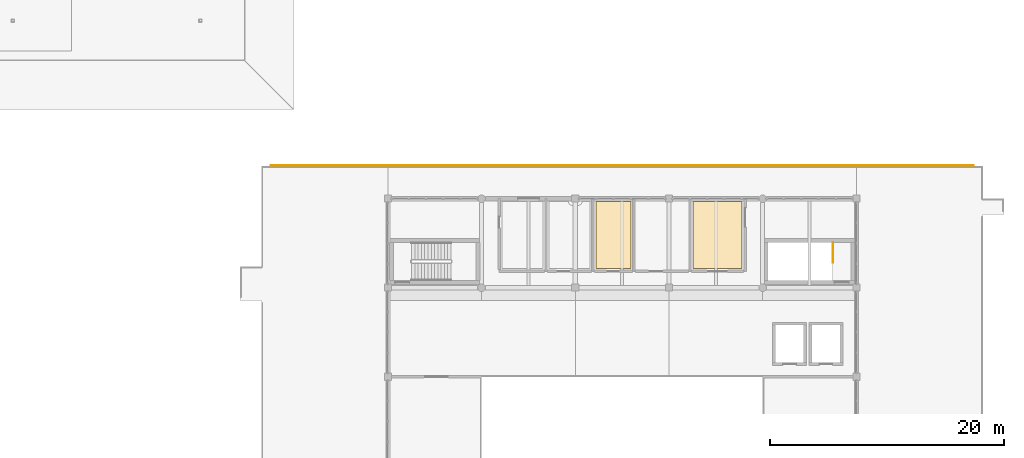
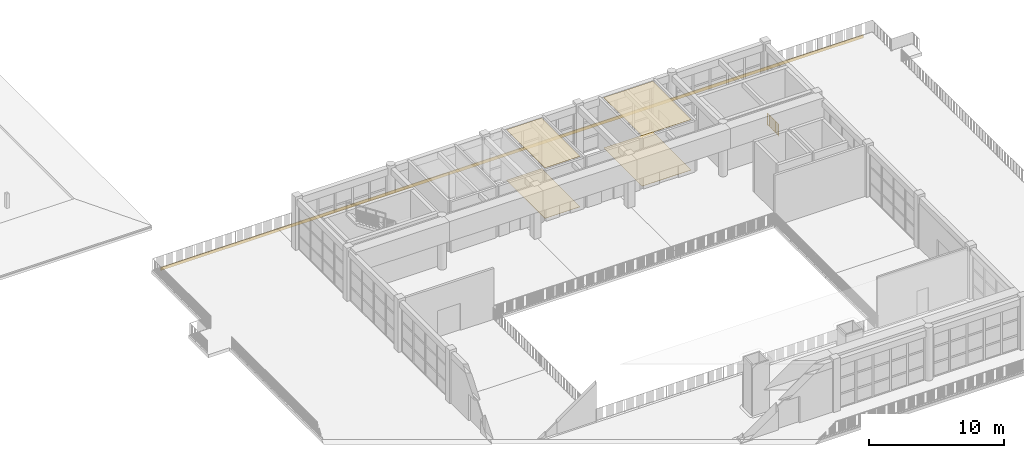
# One storey, part 32 of 32: 5 coverings, 1 railing.
"""IFC4 building model written with IfcOpenShell, lengths in metres."""

from ifc_helpers import new_model, si_unit, direction, frame, origin, origin_2d, place, context, subcontext, project, spatial, polyline, rectangle, circle, outline, extrude, material, layer, layer_set, type_object, element, save


model = new_model("IFC4")

# Units and contexts
model_context = context("Model", 3, precision=1e-05, world=origin(), true_north=direction((0.0, 1.0)))
body_context = subcontext(model_context, "Body", "Model", "MODEL_VIEW")
ifc_project = project(units=[si_unit("LENGTHUNIT", "METRE"), si_unit("AREAUNIT", "SQUARE_METRE"), si_unit("VOLUMEUNIT", "CUBIC_METRE"), si_unit("PLANEANGLEUNIT", "RADIAN"), si_unit("MASSUNIT", "GRAM", prefix="KILO")], contexts=[model_context])

# Site, building, storey
site_placement = place(None, origin())
site = spatial("IfcSite", under=ifc_project, at=site_placement, CompositionType="ELEMENT")
building_placement = place(site_placement, origin())
building = spatial("IfcBuilding", under=site, at=building_placement, Name="Zantavel Square City Hall", CompositionType="ELEMENT")
storey_placement = place(building_placement, frame((0.0, 0.0, 23.699951171875)))
storey = spatial("IfcBuildingStorey", under=building, at=storey_placement, Name="L06", CompositionType="ELEMENT", Elevation=23.699951171875)

# Railing
ifc_material_1 = material(Name="Steel ASTM A500 Grade B", Category="steel")
railing_type = type_object("IfcRailingType", Name="Atrium & Gallery Steel Guard Railing 1100mm", PredefinedType="GUARDRAIL", material=ifc_material_1)
railing_placement = place(storey_placement, frame((102.02001953125, 64.669921875, 0.0)))
element("IfcRailing", 1, at=railing_placement, inside=storey, type_object=railing_type, Name="L06 ST6 top well guard 1", PredefinedType="GUARDRAIL", context=body_context, shape_type="SweptSolid", body=[
    extrude(circle(Radius=0.02392578125, at=origin_2d()), frame((0.0, 0.0, 1.076171875), z_axis=(0.0, -1.0, 0.0), x_axis=(1.0, 0.0, 0.0)), (0.0, 0.0, 1.0), 1.7099609375),
    extrude(rectangle(XDim=0.031982421875, YDim=0.031982421875, at=origin_2d()), frame((0.0, 0.0, 0.080078125), z_axis=(0.0, -1.0, 0.0), x_axis=(1.0, 0.0, 0.0)), (0.0, 0.0, 1.0), 1.7099609375),
    extrude(rectangle(XDim=0.02197265625, YDim=0.02197265625, at=origin_2d()), frame((0.0, -0.090087890625, 0.080078125)), (0.0, 0.0, 1.0), 0.971923828125),
    extrude(rectangle(XDim=0.02197265625, YDim=0.02197265625, at=origin_2d()), frame((0.0, -0.179931640625, 0.080078125)), (0.0, 0.0, 1.0), 0.971923828125),
    extrude(rectangle(XDim=0.02197265625, YDim=0.02197265625, at=origin_2d()), frame((0.0, -0.27001953125, 0.080078125)), (0.0, 0.0, 1.0), 0.971923828125),
    extrude(rectangle(XDim=0.02197265625, YDim=0.02197265625, at=origin_2d()), frame((0.0, -0.360107421875, 0.080078125)), (0.0, 0.0, 1.0), 0.971923828125),
    extrude(rectangle(XDim=0.02197265625, YDim=0.02197265625, at=origin_2d()), frame((0.0, -0.449951171875, 0.080078125)), (0.0, 0.0, 1.0), 0.971923828125),
    extrude(rectangle(XDim=0.02197265625, YDim=0.02197265625, at=origin_2d()), frame((0.0, -0.5400390625, 0.080078125)), (0.0, 0.0, 1.0), 0.971923828125),
    extrude(rectangle(XDim=0.02197265625, YDim=0.02197265625, at=origin_2d()), frame((0.0, -0.6298828125, 0.080078125)), (0.0, 0.0, 1.0), 0.971923828125),
    extrude(rectangle(XDim=0.02197265625, YDim=0.02197265625, at=origin_2d()), frame((0.0, -0.719970703125, 0.080078125)), (0.0, 0.0, 1.0), 0.971923828125),
    extrude(rectangle(XDim=0.02197265625, YDim=0.02197265625, at=origin_2d()), frame((0.0, -0.989990234375, 0.080078125)), (0.0, 0.0, 1.0), 0.971923828125),
    extrude(rectangle(XDim=0.02197265625, YDim=0.02197265625, at=origin_2d()), frame((0.0, -1.080078125, 0.080078125)), (0.0, 0.0, 1.0), 0.971923828125),
    extrude(rectangle(XDim=0.02197265625, YDim=0.02197265625, at=origin_2d()), frame((0.0, -1.169921875, 0.080078125)), (0.0, 0.0, 1.0), 0.971923828125),
    extrude(rectangle(XDim=0.02197265625, YDim=0.02197265625, at=origin_2d()), frame((0.0, -1.260009765625, 0.080078125)), (0.0, 0.0, 1.0), 0.971923828125),
    extrude(rectangle(XDim=0.02197265625, YDim=0.02197265625, at=origin_2d()), frame((0.0, -1.349853515625, 0.080078125)), (0.0, 0.0, 1.0), 0.971923828125),
    extrude(rectangle(XDim=0.02197265625, YDim=0.02197265625, at=origin_2d()), frame((0.0, -1.43994140625, 0.080078125)), (0.0, 0.0, 1.0), 0.971923828125),
    extrude(rectangle(XDim=0.02197265625, YDim=0.02197265625, at=origin_2d()), frame((0.0, -1.530029296875, 0.080078125)), (0.0, 0.0, 1.0), 0.971923828125),
    extrude(rectangle(XDim=0.02197265625, YDim=0.02197265625, at=origin_2d()), frame((0.0, -1.619873046875, 0.080078125)), (0.0, 0.0, 1.0), 0.971923828125),
    extrude(circle(Radius=0.02099609375, at=origin_2d()), origin(), (0.0, 0.0, 1.0), 1.052001953125),
    extrude(circle(Radius=0.02099609375, at=origin_2d()), frame((0.0, -0.85498046875, 0.0)), (0.0, 0.0, 1.0), 1.052001953125),
    extrude(circle(Radius=0.02099609375, at=origin_2d()), frame((0.0, -1.7099609375, 0.0)), (0.0, 0.0, 1.0), 1.052001953125),
])

# Coverings
ifc_material_2 = material(Name="White cantera volcanic tuff stone", Category="masonry")
ifc_layer_1 = layer(ifc_material_2, 0.06005859375, Name="White cantera volcanic tuff stone")
ifc_layer_set_1 = layer_set([ifc_layer_1], Name="White cantera volcanic tuff stone")
covering_type_1 = type_object("IfcCoveringType", Name="Carved White Cantera Tray Fascia Cladding 60mm", PredefinedType="CLADDING", material=ifc_layer_set_1)
covering_1_placement = place(storey_placement, frame((0.0, 0.0, -0.280029296875)))
element("IfcCovering", 2, at=covering_1_placement, inside=storey, type_object=covering_type_1, Name="L06 White Cantera Tray Fascia COV-FASCIA-L06N", PredefinedType="CLADDING", context=body_context, shape_type="SweptSolid", body=[
    extrude(outline(polyline([(54.0, 71.199951171875), (114.0, 71.199951171875), (114.0, 71.260009765625), (54.0, 71.260009765625), (54.0, 71.199951171875)])), origin(), (0.0, 0.0, 1.0), 0.280029296875),
])
ifc_material_3 = material(Name="Terrazzo stone finish", Category="masonry")
ifc_layer_2 = layer(ifc_material_3, 0.02001953125, Name="Terrazzo stone finish")
ifc_layer_set_2 = layer_set([ifc_layer_2], Name="Terrazzo stone finish")
covering_type_2 = type_object("IfcCoveringType", Name="Honed Cantera-Terrazzo Civic Flooring 20mm", PredefinedType="FLOORING", material=ifc_layer_set_2)
covering_2_placement = place(storey_placement, origin())
element("IfcCovering", 3, at=covering_2_placement, inside=storey, type_object=covering_type_2, Name="L06 L06 Accessible WC Terrazzo Flooring", PredefinedType="FLOORING", context=body_context, shape_type="SweptSolid", body=[
    extrude(outline(polyline([(81.75, 62.449951171875), (81.75, 68.14990234375), (84.75, 68.14990234375), (84.75, 62.449951171875), (81.75, 62.449951171875)])), origin(), (0.0, 0.0, 1.0), 0.02001953125),
])
covering_3_placement = place(storey_placement, origin())
element("IfcCovering", 4, at=covering_3_placement, inside=storey, type_object=covering_type_2, Name="L06 Simultaneous Interpretation Suite Terrazzo Flooring", PredefinedType="FLOORING", context=body_context, shape_type="SweptSolid", body=[
    extrude(outline(polyline([(90.050048828125, 62.449951171875), (90.050048828125, 68.14990234375), (94.25, 68.14990234375), (94.25, 62.449951171875), (90.050048828125, 62.449951171875)])), origin(), (0.0, 0.0, 1.0), 0.02001953125),
])
ifc_material_4 = material(Name="Gypsum acoustic stud assembly", Category="masonry")
ifc_layer_3 = layer(ifc_material_4, 0.02490234375, Name="Gypsum acoustic stud assembly")
ifc_layer_set_3 = layer_set([ifc_layer_3], Name="Gypsum acoustic stud assembly")
covering_type_3 = type_object("IfcCoveringType", Name="Perforated Gypsum Acoustic Ceiling 25mm", PredefinedType="CEILING", material=ifc_layer_set_3)
covering_4_placement = place(storey_placement, frame((0.0, 0.0, 4.554931640625)))
element("IfcCovering", 5, at=covering_4_placement, inside=storey, type_object=covering_type_3, Name="L06 L06 Accessible WC Acoustic Ceiling", PredefinedType="CEILING", context=body_context, shape_type="SweptSolid", body=[
    extrude(outline(polyline([(81.75, 62.449951171875), (81.75, 68.14990234375), (84.75, 68.14990234375), (84.75, 62.449951171875), (81.75, 62.449951171875)])), origin(), (0.0, 0.0, 1.0), 0.025146484375),
])
covering_5_placement = place(storey_placement, frame((0.0, 0.0, 4.554931640625)))
element("IfcCovering", 6, at=covering_5_placement, inside=storey, type_object=covering_type_3, Name="L06 Simultaneous Interpretation Suite Acoustic Ceiling", PredefinedType="CEILING", context=body_context, shape_type="SweptSolid", body=[
    extrude(outline(polyline([(90.050048828125, 62.449951171875), (90.050048828125, 68.14990234375), (94.25, 68.14990234375), (94.25, 62.449951171875), (90.050048828125, 62.449951171875)])), origin(), (0.0, 0.0, 1.0), 0.025146484375),
])

save(model, "model.ifc")
